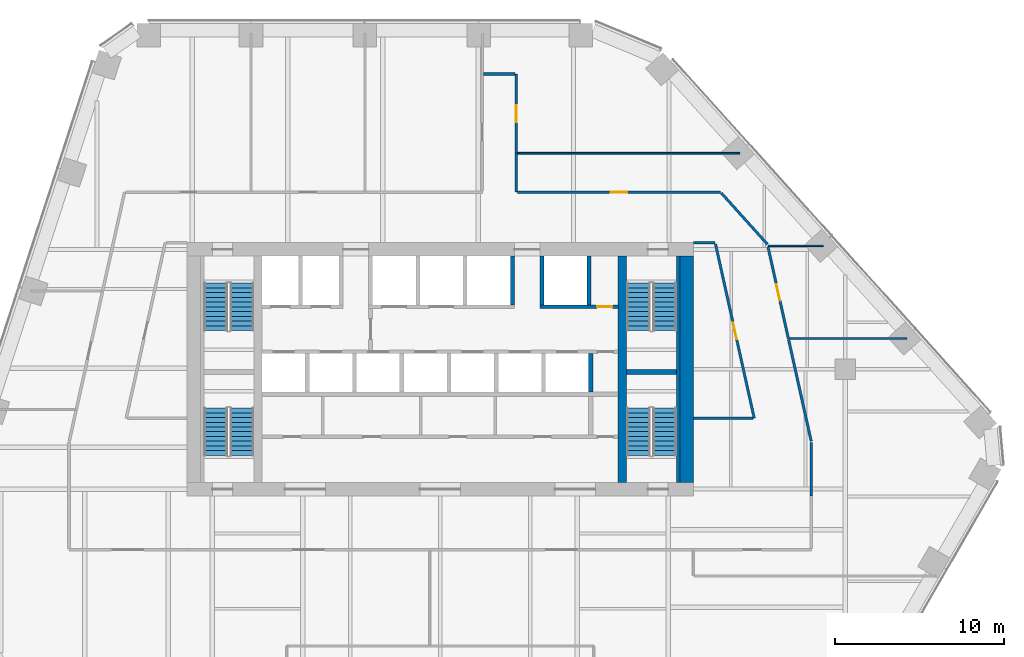
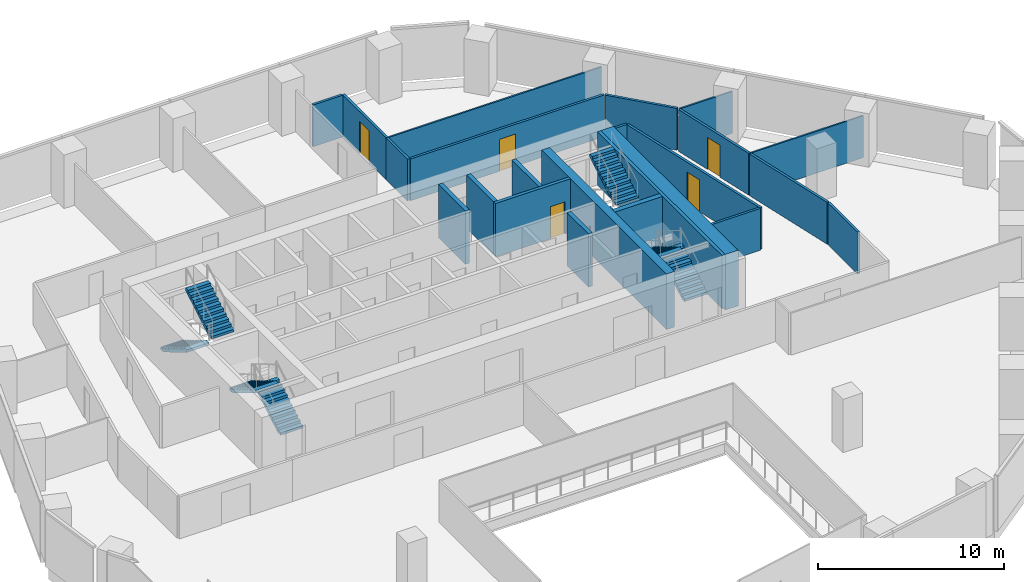
# One storey, part 13 of 16: 23 walls, 8 stair flights, 5 doors, 5 openings, 4 elements without a shape of their own.
"""IFC4 building model written with IfcOpenShell, lengths in metres."""

from ifc_helpers import new_model, si_unit, direction, frame, frame_2d, origin, place, context, subcontext, project, spatial, polyline, rectangle, outline, extrude, material, layer, layer_set, type_object, element, fill, aggregate, save


model = new_model("IFC4")

# Units and contexts
model_context = context("Model", 3, precision=1e-05, world=origin(), true_north=direction((0.0, 1.0)))
body_context = subcontext(model_context, "Body", "Model", "MODEL_VIEW")
ifc_project = project(units=[si_unit("LENGTHUNIT", "METRE"), si_unit("AREAUNIT", "SQUARE_METRE"), si_unit("VOLUMEUNIT", "CUBIC_METRE"), si_unit("PLANEANGLEUNIT", "RADIAN"), si_unit("MASSUNIT", "GRAM", prefix="KILO")], contexts=[model_context])

# Site, building, storey
site_placement = place(None, origin())
site = spatial("IfcSite", under=ifc_project, at=site_placement, CompositionType="ELEMENT")
building_placement = place(site_placement, origin())
building = spatial("IfcBuilding", under=site, at=building_placement, Name="Isthmus Gate Tower", CompositionType="ELEMENT")
storey_placement = place(building_placement, frame((0.0, 0.0, 140.75)))
storey = spatial("IfcBuildingStorey", under=building, at=storey_placement, Name="L34", CompositionType="ELEMENT", Elevation=140.75)

# Wall, opening, door
ifc_material_1 = material(Name="Gypsum board on steel studs, fire-rated", Category="steel")
ifc_layer_1 = layer(ifc_material_1, 0.14990234375)
ifc_layer_set_1 = layer_set([ifc_layer_1], Name="CORRIDOR WALL 150 60 MIN")
wall_type_1 = type_object("IfcWallType", Name="CORRIDOR WALL 150 60 MIN", PredefinedType="PARTITIONING", material=ifc_layer_set_1)
wall_1_placement = place(storey_placement, frame((4.5, 25.0, 0.0), z_axis=(0.0, 0.0, 1.0), x_axis=(0.0, -1.0, 0.0)))
wall_1 = element("IfcWall", 1, at=wall_1_placement, inside=storey, type_object=wall_type_1, Name="L34 Corridor Wall 150 60 Min", PredefinedType="PARTITIONING", context=body_context, shape_type="SweptSolid", body=[
    extrude(rectangle(XDim=4.69189453125, YDim=0.14990234375, at=frame_2d((2.345947265625, 0.0))), origin(), (0.0, 0.0, 1.0), 2.7412109375),
])
opening_1_placement = place(wall_1_placement, frame((1.845947265625, 0.0, 0.0)))
opening_1 = element("IfcOpeningElement", 2, at=opening_1_placement, cuts=wall_1, Name="Opening DT-T3B-03", PredefinedType="OPENING", context=body_context, shape_type="SweptSolid", body=[
    extrude(rectangle(XDim=1.0, YDim=2.10009765625, at=frame_2d((0.5, 1.050048828125))), frame((0.0, 0.0849609375, 0.0), z_axis=(0.0, -1.0, 0.0), x_axis=(1.0, 0.0, 0.0)), (0.0, 0.0, 1.0), 0.169921875),
])
ifc_material_2 = material(Name="Solid core timber door leaf, fire-rated", Category="wood")
door_type_1 = type_object("IfcDoorType", Name="FIRE DOOR ROOM 1000 X 2100 60 MIN", OperationType="SINGLE_SWING_LEFT", PredefinedType="DOOR", material=ifc_material_2)
door_1_placement = place(opening_1_placement, origin())
door_1 = element("IfcDoor", 3, at=door_1_placement, inside=storey, type_object=door_type_1, Name="L34 room door", OperationType="SINGLE_SWING_RIGHT", OverallHeight=2.10009765625, OverallWidth=1.0, PredefinedType="DOOR", context=body_context, shape_type="SweptSolid", body=[
    extrude(rectangle(XDim=1.0, YDim=2.10009765625, at=frame_2d((0.5, 1.050048828125))), frame((0.0, 0.02490234375, 0.0), z_axis=(0.0, -1.0, 0.0), x_axis=(1.0, 0.0, 0.0)), (0.0, 0.0, 1.0), 0.050048828125),
])
fill(opening_1, door_1)

# Walls
wall_2_placement = place(storey_placement, frame((4.5, 20.30810546875, 0.0), z_axis=(0.0, 0.0, 1.0), x_axis=(0.0, -1.0, 0.0)))
element("IfcWall", 4, at=wall_2_placement, inside=storey, type_object=wall_type_1, Name="L34 Corridor Wall 150 60 Min", PredefinedType="PARTITIONING", context=body_context, shape_type="SweptSolid", body=[
    extrude(rectangle(XDim=2.30810546875, YDim=0.14990234375, at=frame_2d((1.154052734375, 0.0))), origin(), (0.0, 0.0, 1.0), 2.7412109375),
])
wall_3_placement = place(storey_placement, frame((16.297119140625, 15.0, 0.0), z_axis=(0.0, 0.0, 1.0), x_axis=(-1.0, 0.0, 0.0)))
element("IfcWall", 5, at=wall_3_placement, inside=storey, type_object=wall_type_1, Name="L34 Corridor Wall 150 60 Min", PredefinedType="PARTITIONING", context=body_context, shape_type="SweptSolid", body=[
    extrude(rectangle(XDim=1.297119140625, YDim=0.14990234375, at=frame_2d((0.6484375, 0.0))), origin(), (0.0, 0.0, 1.0), 2.7412109375),
])

# Wall, opening, door
wall_4_placement = place(storey_placement, frame((18.60791015625, 4.60009765625, 0.0), z_axis=(0.0, 0.0, 1.0), x_axis=(-0.21691823958, 0.976189775268, 0.0)))
wall_4 = element("IfcWall", 6, at=wall_4_placement, inside=storey, type_object=wall_type_1, Name="L34 Corridor Wall 150 60 Min", PredefinedType="PARTITIONING", context=body_context, shape_type="SweptSolid", body=[
    extrude(rectangle(XDim=10.57861328125, YDim=0.14990234375, at=frame_2d((5.289306640625, 0.0))), origin(), (0.0, 0.0, 1.0), 2.7412109375),
])
opening_2_placement = place(wall_4_placement, frame((4.789306640625, 0.0, 0.0)))
opening_2 = element("IfcOpeningElement", 7, at=opening_2_placement, cuts=wall_4, Name="Opening DT-T3B-09", PredefinedType="OPENING", context=body_context, shape_type="SweptSolid", body=[
    extrude(rectangle(XDim=1.0, YDim=2.10009765625, at=frame_2d((0.5, 1.050048828125))), frame((0.0, 0.0849609375, 0.0), z_axis=(0.0, -1.0, 0.0), x_axis=(1.0, 0.0, 0.0)), (0.0, 0.0, 1.0), 0.169921875),
])
door_2_placement = place(opening_2_placement, origin())
door_2 = element("IfcDoor", 8, at=door_2_placement, inside=storey, type_object=door_type_1, Name="L34 room door", OperationType="SINGLE_SWING_RIGHT", OverallHeight=2.10009765625, OverallWidth=1.0, PredefinedType="DOOR", context=body_context, shape_type="SweptSolid", body=[
    extrude(rectangle(XDim=1.0, YDim=2.10009765625, at=frame_2d((0.5, 1.050048828125))), frame((0.0, 0.02490234375, 0.0), z_axis=(0.0, -1.0, 0.0), x_axis=(1.0, 0.0, 0.0)), (0.0, 0.0, 1.0), 0.050048828125),
])
fill(opening_2, door_2)

# Walls
wall_5_placement = place(storey_placement, frame((22.0, 3.1650390625, 0.0), z_axis=(0.0, 0.0, 1.0), x_axis=(0.0, -1.0, 0.0)))
element("IfcWall", 9, at=wall_5_placement, inside=storey, type_object=wall_type_1, Name="L34 Corridor Wall 150 60 Min", PredefinedType="PARTITIONING", context=body_context, shape_type="SweptSolid", body=[
    extrude(rectangle(XDim=3.1650390625, YDim=0.14990234375, at=frame_2d((1.58251953125, 0.0))), origin(), (0.0, 0.0, 1.0), 2.7412109375),
])
wall_6_placement = place(storey_placement, frame((2.574951171875, 25.0, 0.0), z_axis=(0.0, 0.0, 1.0), x_axis=(1.0, 0.0, 0.0)))
element("IfcWall", 10, at=wall_6_placement, inside=storey, type_object=wall_type_1, Name="L34 Corridor Wall 150 60 Min", PredefinedType="PARTITIONING", context=body_context, shape_type="SweptSolid", body=[
    extrude(rectangle(XDim=1.85009765625, YDim=0.14990234375, at=frame_2d((0.925048828125, 0.0))), origin(), (0.0, 0.0, 1.0), 2.7412109375),
])

# Wall, opening, door
wall_7_placement = place(storey_placement, frame((4.574951171875, 18.0, 0.0), z_axis=(0.0, 0.0, 1.0), x_axis=(1.0, 0.0, 0.0)))
wall_7 = element("IfcWall", 11, at=wall_7_placement, inside=storey, type_object=wall_type_1, Name="L34 Corridor Wall 150 60 Min", PredefinedType="PARTITIONING", context=body_context, shape_type="SweptSolid", body=[
    extrude(rectangle(XDim=12.03515625, YDim=0.14990234375, at=frame_2d((6.017578125, 0.0))), origin(), (0.0, 0.0, 1.0), 2.7412109375),
])
opening_3_placement = place(wall_7_placement, frame((5.517578125, 0.0, 0.0)))
opening_3 = element("IfcOpeningElement", 12, at=opening_3_placement, cuts=wall_7, Name="Opening DT-T3B-05", PredefinedType="OPENING", context=body_context, shape_type="SweptSolid", body=[
    extrude(rectangle(XDim=1.0, YDim=2.10009765625, at=frame_2d((0.5, 1.050048828125))), frame((0.0, 0.0849609375, 0.0), z_axis=(0.0, -1.0, 0.0), x_axis=(1.0, 0.0, 0.0)), (0.0, 0.0, 1.0), 0.169921875),
])
door_3_placement = place(opening_3_placement, origin())
door_3 = element("IfcDoor", 13, at=door_3_placement, inside=storey, type_object=door_type_1, Name="L34 room door", OperationType="SINGLE_SWING_RIGHT", OverallHeight=2.10009765625, OverallWidth=1.0, PredefinedType="DOOR", context=body_context, shape_type="SweptSolid", body=[
    extrude(rectangle(XDim=1.0, YDim=2.10009765625, at=frame_2d((0.5, 1.050048828125))), frame((0.0, 0.02490234375, 0.0), z_axis=(0.0, -1.0, 0.0), x_axis=(1.0, 0.0, 0.0)), (0.0, 0.0, 1.0), 0.050048828125),
])
fill(opening_3, door_3)

# Wall
wall_8_placement = place(storey_placement, frame((16.66015625, 17.9443359375, 0.0), z_axis=(0.0, 0.0, 1.0), x_axis=(0.669169786575, -0.743109545582, 0.0)))
element("IfcWall", 14, at=wall_8_placement, inside=storey, type_object=wall_type_1, Name="L34 Corridor Wall 150 60 Min", PredefinedType="PARTITIONING", context=body_context, shape_type="SweptSolid", body=[
    extrude(rectangle(XDim=4.077880859375, YDim=0.14990234375, at=frame_2d((2.0390625, 0.0))), origin(), (0.0, 0.0, 1.0), 2.7412109375),
])

# Wall, opening, door
wall_9_placement = place(storey_placement, frame((19.421875, 14.76708984375, 0.0), z_axis=(0.0, 0.0, 1.0), x_axis=(0.216833114764, -0.976208686881, 0.0)))
wall_9 = element("IfcWall", 15, at=wall_9_placement, inside=storey, type_object=wall_type_1, Name="L34 Corridor Wall 150 60 Min", PredefinedType="PARTITIONING", context=body_context, shape_type="SweptSolid", body=[
    extrude(rectangle(XDim=5.57666015625, YDim=0.14990234375, at=frame_2d((2.788330078125, 0.0))), origin(), (0.0, 0.0, 1.0), 2.7412109375),
])
opening_4_placement = place(wall_9_placement, frame((2.288330078125, 0.0, 0.0)))
opening_4 = element("IfcOpeningElement", 16, at=opening_4_placement, cuts=wall_9, Name="Opening DT-T3B-06", PredefinedType="OPENING", context=body_context, shape_type="SweptSolid", body=[
    extrude(rectangle(XDim=1.0, YDim=2.10009765625, at=frame_2d((0.5, 1.050048828125))), frame((0.0, 0.0849609375, 0.0), z_axis=(0.0, -1.0, 0.0), x_axis=(1.0, 0.0, 0.0)), (0.0, 0.0, 1.0), 0.169921875),
])
door_4_placement = place(opening_4_placement, origin())
door_4 = element("IfcDoor", 17, at=door_4_placement, inside=storey, type_object=door_type_1, Name="L34 room door", OperationType="SINGLE_SWING_RIGHT", OverallHeight=2.10009765625, OverallWidth=1.0, PredefinedType="DOOR", context=body_context, shape_type="SweptSolid", body=[
    extrude(rectangle(XDim=1.0, YDim=2.10009765625, at=frame_2d((0.5, 1.050048828125))), frame((0.0, 0.02490234375, 0.0), z_axis=(0.0, -1.0, 0.0), x_axis=(1.0, 0.0, 0.0)), (0.0, 0.0, 1.0), 0.050048828125),
])
fill(opening_4, door_4)

# Walls
wall_10_placement = place(storey_placement, frame((15.0, 4.60009765625, 0.0), z_axis=(0.0, 0.0, 1.0), x_axis=(1.0, 0.0, 0.0)))
element("IfcWall", 18, at=wall_10_placement, inside=storey, type_object=wall_type_1, Name="L34 Corridor Wall 150 60 Min", PredefinedType="PARTITIONING", context=body_context, shape_type="SweptSolid", body=[
    extrude(rectangle(XDim=3.532958984375, YDim=0.14990234375, at=frame_2d((1.7666015625, 0.0))), origin(), (0.0, 0.0, 1.0), 2.7412109375),
])
wall_11_placement = place(storey_placement, frame((20.641845703125, 9.274169921875, 0.0), z_axis=(0.0, 0.0, 1.0), x_axis=(0.217005709604, -0.976170334521, 0.0)))
element("IfcWall", 19, at=wall_11_placement, inside=storey, type_object=wall_type_1, Name="L34 Corridor Wall 150 60 Min", PredefinedType="PARTITIONING", context=body_context, shape_type="SweptSolid", body=[
    extrude(rectangle(XDim=6.183349609375, YDim=0.14990234375, at=frame_2d((3.091796875, 0.0))), origin(), (0.0, 0.0, 1.0), 2.7412109375),
])
ifc_material_3 = material(Name="Concrete f'c 60 MPa", Category="concrete")
ifc_layer_2 = layer(ifc_material_3, 0.5)
ifc_layer_set_2 = layer_set([ifc_layer_2], Name="RC CORE SPINE WALL 500 F'C 60")
wall_type_2 = type_object("IfcWallType", Name="RC CORE SPINE WALL 500 F'C 60", PredefinedType="SOLIDWALL", material=ifc_layer_set_2)
wall_12_placement = place(storey_placement, frame((10.800048828125, 0.800048828125, -0.14990234375), z_axis=(0.0, 0.0, 1.0), x_axis=(0.0, 1.0, 0.0)))
element("IfcWall", 20, at=wall_12_placement, inside=storey, type_object=wall_type_2, Name="str-corewall-L34-SPE", PredefinedType="SOLIDWALL", context=body_context, shape_type="SweptSolid", body=[
    extrude(rectangle(XDim=13.39990234375, YDim=0.5, at=frame_2d((6.699951171875, 0.0))), origin(), (0.0, 0.0, 1.0), 3.64990234375),
])
ifc_material_4 = material(Name="Concrete f'c 60 MPa", Category="concrete")
ifc_layer_3 = layer(ifc_material_4, 0.800048828125)
ifc_layer_set_3 = layer_set([ifc_layer_3], Name="RC CORE WALL 800 F'C 60")
wall_type_3 = type_object("IfcWallType", Name="RC CORE WALL 800 F'C 60", PredefinedType="SOLIDWALL", material=ifc_layer_set_3)
wall_13_placement = place(storey_placement, frame((14.60009765625, 0.800048828125, -0.14990234375), z_axis=(0.0, 0.0, 1.0), x_axis=(0.0, 1.0, 0.0)))
element("IfcWall", 21, at=wall_13_placement, inside=storey, type_object=wall_type_3, Name="str-corewall-L34-E", PredefinedType="SOLIDWALL", context=body_context, shape_type="SweptSolid", body=[
    extrude(rectangle(XDim=13.39990234375, YDim=0.800048828125, at=frame_2d((6.699951171875, 0.0))), origin(), (0.0, 0.0, 1.0), 3.64990234375),
])
ifc_material_5 = material(Name="Gypsum board on steel studs, fire-rated", Category="steel")
ifc_layer_4 = layer(ifc_material_5, 0.10009765625)
ifc_layer_set_4 = layer_set([ifc_layer_4], Name="ROOM PARTITION 100 30 MIN")
wall_type_4 = type_object("IfcWallType", Name="ROOM PARTITION 100 30 MIN", PredefinedType="PARTITIONING", material=ifc_layer_set_4)
wall_14_placement = place(storey_placement, frame((4.574951171875, 20.30810546875, 0.0), z_axis=(0.0, 0.0, 1.0), x_axis=(1.0, 0.0, 0.0)))
element("IfcWall", 22, at=wall_14_placement, inside=storey, type_object=wall_type_4, Name="L34 Room Partition 100 30 Min", PredefinedType="PARTITIONING", context=body_context, shape_type="SweptSolid", body=[
    extrude(rectangle(XDim=13.18701171875, YDim=0.10009765625, at=frame_2d((6.593505859375, 0.0))), origin(), (0.0, 0.0, 1.0), 2.7412109375),
])
wall_15_placement = place(storey_placement, frame((19.4365234375, 14.81591796875, 0.0), z_axis=(0.0, 0.0, 1.0), x_axis=(1.0, 0.0, 0.0)))
element("IfcWall", 23, at=wall_15_placement, inside=storey, type_object=wall_type_4, Name="L34 Room Partition 100 30 Min", PredefinedType="PARTITIONING", context=body_context, shape_type="SweptSolid", body=[
    extrude(rectangle(XDim=3.2705078125, YDim=0.10009765625, at=frame_2d((1.63525390625, 0.0))), origin(), (0.0, 0.0, 1.0), 2.7412109375),
])
wall_16_placement = place(storey_placement, frame((20.7060546875, 9.322998046875, 0.0), z_axis=(0.0, 0.0, 1.0), x_axis=(1.0, 0.0, 0.0)))
element("IfcWall", 24, at=wall_16_placement, inside=storey, type_object=wall_type_4, Name="L34 Room Partition 100 30 Min", PredefinedType="PARTITIONING", context=body_context, shape_type="SweptSolid", body=[
    extrude(rectangle(XDim=6.946044921875, YDim=0.10009765625, at=frame_2d((3.47314453125, 0.0))), origin(), (0.0, 0.0, 1.0), 2.7412109375),
])

# Wall, opening, door
ifc_material_6 = material(Name="Fire-rated blockwork masonry, 15 MPa", Category="masonry")
ifc_layer_5 = layer(ifc_material_6, 0.199951171875)
ifc_layer_set_5 = layer_set([ifc_layer_5], Name="SHAFT FRONT WALL 200 120 MIN")
wall_type_5 = type_object("IfcWallType", Name="SHAFT FRONT WALL 200 120 MIN", PredefinedType="PARTITIONING", material=ifc_layer_set_5)
wall_17_placement = place(storey_placement, frame((5.89990234375, 11.199951171875, 0.0), z_axis=(0.0, 0.0, 1.0), x_axis=(1.0, 0.0, 0.0)))
wall_17 = element("IfcWall", 25, at=wall_17_placement, inside=storey, type_object=wall_type_5, Name="L34 SHAFT FRONT WALL 200 120 MIN", PredefinedType="PARTITIONING", context=body_context, shape_type="SweptSolid", body=[
    extrude(rectangle(XDim=4.650146484375, YDim=0.199951171875, at=frame_2d((2.3251953125, 0.0))), origin(), (0.0, 0.0, 1.0), 3.5),
])
opening_5_placement = place(wall_17_placement, frame((3.39990234375, 0.0, 0.0)))
opening_5 = element("IfcOpeningElement", 26, at=opening_5_placement, cuts=wall_17, Name="Opening DC-A13-08", PredefinedType="OPENING", context=body_context, shape_type="SweptSolid", body=[
    extrude(rectangle(XDim=0.89990234375, YDim=2.10009765625, at=frame_2d((0.449951171875, 1.050048828125))), frame((0.0, 0.10986328125, 0.0), z_axis=(0.0, -1.0, 0.0), x_axis=(1.0, 0.0, 0.0)), (0.0, 0.0, 1.0), 0.219970703125),
])
ifc_material_7 = material(Name="Steel door leaf, fire-rated", Category="steel")
door_type_2 = type_object("IfcDoorType", Name="RISER FIRE DOOR 900 X 2100 90 MIN", OperationType="SINGLE_SWING_LEFT", PredefinedType="DOOR", material=ifc_material_7)
door_5_placement = place(opening_5_placement, origin())
door_5 = element("IfcDoor", 27, at=door_5_placement, inside=storey, type_object=door_type_2, Name="Riser Door", OperationType="SINGLE_SWING_LEFT", OverallHeight=2.10009765625, OverallWidth=0.89990234375, PredefinedType="DOOR", context=body_context, shape_type="SweptSolid", body=[
    extrude(rectangle(XDim=0.89990234375, YDim=2.10009765625, at=frame_2d((0.449951171875, 1.050048828125))), frame((0.0, 0.02490234375, 0.0), z_axis=(0.0, -1.0, 0.0), x_axis=(1.0, 0.0, 0.0)), (0.0, 0.0, 1.0), 0.050048828125),
])
fill(opening_5, door_5)

# Walls
ifc_material_8 = material(Name="Fire-rated blockwork masonry, 15 MPa", Category="masonry")
ifc_layer_6 = layer(ifc_material_8, 0.25)
ifc_layer_set_6 = layer_set([ifc_layer_6], Name="SHAFT WALL 250 120 MIN")
wall_type_6 = type_object("IfcWallType", Name="SHAFT WALL 250 120 MIN", PredefinedType="PARTITIONING", material=ifc_layer_set_6)
wall_18_placement = place(storey_placement, frame((8.925048828125, 6.14990234375, 0.0), z_axis=(0.0, 0.0, 1.0), x_axis=(0.0, 1.0, 0.0)))
element("IfcWall", 28, at=wall_18_placement, inside=storey, type_object=wall_type_6, Name="L34 SHAFT WALL 250 120 MIN", PredefinedType="PARTITIONING", context=body_context, shape_type="SweptSolid", body=[
    extrude(rectangle(XDim=2.300048828125, YDim=0.25, at=frame_2d((1.14990234375, 0.0))), origin(), (0.0, 0.0, 1.0), 3.5),
])
for number, where, z_axis, x_axis, name in (
    (29, (4.27490234375, 11.300048828125, 0.0), (0.0, 0.0, 1.0), (0.0, 1.0, 0.0), "L34 SHAFT WALL 250 120 MIN"),
    (30, (6.02490234375, 11.300048828125, 0.0), (0.0, 0.0, 1.0), (0.0, 1.0, 0.0), "L34 SHAFT WALL 250 120 MIN"),
    (31, (8.824951171875, 11.300048828125, 0.0), (0.0, 0.0, 1.0), (0.0, 1.0, 0.0), "L34 SHAFT WALL 250 120 MIN"),
):
    element("IfcWall", number, at=place(storey_placement, frame(where, z_axis=z_axis, x_axis=x_axis)), inside=storey, type_object=wall_type_6, Name=name, PredefinedType="PARTITIONING", context=body_context, shape_type="SweptSolid", body=[
        extrude(rectangle(XDim=2.89990234375, YDim=0.25, at=frame_2d((1.449951171875, 0.0))), origin(), (0.0, 0.0, 1.0), 3.5),
    ])
ifc_material_9 = material(Name="Concrete f'c 40 MPa", Category="concrete")
ifc_layer_7 = layer(ifc_material_9, 0.199951171875)
ifc_layer_set_7 = layer_set([ifc_layer_7], Name="STAIR ENCLOSURE WALL 200 180 MIN")
wall_type_7 = type_object("IfcWallType", Name="STAIR ENCLOSURE WALL 200 180 MIN", PredefinedType="SOLIDWALL", material=ifc_layer_set_7)
wall_19_placement = place(storey_placement, frame((14.10009765625, 0.800048828125, 0.0), z_axis=(0.0, 0.0, 1.0), x_axis=(0.0, 1.0, 0.0)))
element("IfcWall", 32, at=wall_19_placement, inside=storey, type_object=wall_type_7, Name="L34 STAIR ENCLOSURE WALL 200 180 MIN", PredefinedType="SOLIDWALL", context=body_context, shape_type="SweptSolid", body=[
    extrude(rectangle(XDim=13.39990234375, YDim=0.199951171875, at=frame_2d((6.699951171875, 0.0))), origin(), (0.0, 0.0, 1.0), 3.5),
])
ifc_material_10 = material(Name="Concrete f'c 40 MPa", Category="concrete")
ifc_layer_8 = layer(ifc_material_10, 0.300048828125)
ifc_layer_set_8 = layer_set([ifc_layer_8], Name="STAIR ENCLOSURE WALL 300 180 MIN")
wall_type_8 = type_object("IfcWallType", Name="STAIR ENCLOSURE WALL 300 180 MIN", PredefinedType="SOLIDWALL", material=ifc_layer_set_8)
wall_20_placement = place(storey_placement, frame((11.050048828125, 7.35009765625, 0.0), z_axis=(0.0, 0.0, 1.0), x_axis=(1.0, 0.0, 0.0)))
element("IfcWall", 33, at=wall_20_placement, inside=storey, type_object=wall_type_8, Name="L34 STAIR ENCLOSURE WALL 300 180 MIN", PredefinedType="SOLIDWALL", context=body_context, shape_type="SweptSolid", body=[
    extrude(rectangle(XDim=2.949951171875, YDim=0.300048828125, at=frame_2d((1.47509765625, 0.0))), origin(), (0.0, 0.0, 1.0), 3.5),
])

# Stair, stair flights
ifc_material_11 = material(Name="Concrete f'c 40 MPa", Category="concrete")
stair_type = type_object("IfcStairType", Name="CORE STAIR 22 RISERS", PredefinedType="HALF_TURN_STAIR", material=ifc_material_11)
stair_1_placement = place(storey_placement, origin())
stair_1 = element("IfcStair", 34, at=stair_1_placement, inside=storey, type_object=stair_type, Name="L34 Exit Stair 1", PredefinedType="HALF_TURN_STAIR")
ifc_material_12 = material(Name="Concrete f'c 40 MPa", Category="concrete")
stair_flight_type = type_object("IfcStairFlightType", Name="STAIR FLIGHT RC 1400", PredefinedType="STRAIGHT", material=ifc_material_12)
stair_flight_1_placement = place(storey_placement, frame((-13.300048828125, 12.60009765625, 0.0), z_axis=(0.0, 0.0, 1.0), x_axis=(0.0, -1.0, 0.0)))
stair_flight_1 = element("IfcStairFlight", 35, at=stair_flight_1_placement, type_object=stair_flight_type, Name="ST1 flight 1", NumberOfRisers=11, NumberOfTreads=10, PredefinedType="STRAIGHT", RiserHeight=0.165909091, TreadLength=0.28, context=body_context, shape_type="SweptSolid", body=[
    extrude(outline(polyline([(0.0, 0.0), (0.0, 0.166015625), (0.280029296875, 0.166015625), (0.280029296875, 0.331787109375), (0.56005859375, 0.331787109375), (0.56005859375, 0.497802734375), (0.840087890625, 0.497802734375), (0.840087890625, 0.66357421875), (1.1201171875, 0.66357421875), (1.1201171875, 0.82958984375), (1.39990234375, 0.82958984375), (1.39990234375, 0.995361328125), (1.679931640625, 0.995361328125), (1.679931640625, 1.161376953125), (1.9599609375, 1.161376953125), (1.9599609375, 1.327392578125), (2.239990234375, 1.327392578125), (2.239990234375, 1.4931640625), (2.52001953125, 1.4931640625), (2.52001953125, 1.6591796875), (2.800048828125, 1.6591796875), (2.800048828125, 1.824951171875), (2.800048828125, 1.48486328125), (0.2939453125, 0.0), (0.0, 0.0)])), frame((0.0, 0.699951171875, 0.0), z_axis=(0.0, -1.0, 0.0), x_axis=(1.0, 0.0, 0.0)), (0.0, 0.0, 1.0), 1.39990234375),
])
stair_flight_2_placement = place(storey_placement, frame((-11.75, 9.800048828125, 1.824951171875), z_axis=(0.0, 0.0, 1.0), x_axis=(0.0, 1.0, 0.0)))
stair_flight_2 = element("IfcStairFlight", 36, at=stair_flight_2_placement, type_object=stair_flight_type, Name="ST1 flight 2", NumberOfRisers=11, NumberOfTreads=10, PredefinedType="STRAIGHT", RiserHeight=0.165909091, TreadLength=0.28, context=body_context, shape_type="SweptSolid", body=[
    extrude(outline(polyline([(0.0, 0.0), (0.0, 0.166015625), (0.280029296875, 0.166015625), (0.280029296875, 0.331787109375), (0.56005859375, 0.331787109375), (0.56005859375, 0.497802734375), (0.840087890625, 0.497802734375), (0.840087890625, 0.66357421875), (1.1201171875, 0.66357421875), (1.1201171875, 0.82958984375), (1.39990234375, 0.82958984375), (1.39990234375, 0.995361328125), (1.679931640625, 0.995361328125), (1.679931640625, 1.161376953125), (1.9599609375, 1.161376953125), (1.9599609375, 1.327392578125), (2.239990234375, 1.327392578125), (2.239990234375, 1.4931640625), (2.52001953125, 1.4931640625), (2.52001953125, 1.6591796875), (2.800048828125, 1.6591796875), (2.800048828125, 1.824951171875), (2.800048828125, 1.48486328125), (0.2939453125, 0.0), (0.0, 0.0)])), frame((0.0, 0.699951171875, 0.0), z_axis=(0.0, -1.0, 0.0), x_axis=(1.0, 0.0, 0.0)), (0.0, 0.0, 1.0), 1.39990234375),
])
aggregate(stair_1, [stair_flight_1, stair_flight_2])

stair_2_placement = place(storey_placement, origin())
stair_2 = element("IfcStair", 37, at=stair_2_placement, inside=storey, type_object=stair_type, Name="L34 Exit Stair 2", PredefinedType="HALF_TURN_STAIR")
stair_flight_3_placement = place(storey_placement, frame((11.75, 12.60009765625, 0.0), z_axis=(0.0, 0.0, 1.0), x_axis=(0.0, -1.0, 0.0)))
stair_flight_3 = element("IfcStairFlight", 38, at=stair_flight_3_placement, type_object=stair_flight_type, Name="ST2 flight 1", NumberOfRisers=11, NumberOfTreads=10, PredefinedType="STRAIGHT", RiserHeight=0.165909091, TreadLength=0.28, context=body_context, shape_type="SweptSolid", body=[
    extrude(outline(polyline([(0.0, 0.0), (0.0, 0.166015625), (0.280029296875, 0.166015625), (0.280029296875, 0.331787109375), (0.56005859375, 0.331787109375), (0.56005859375, 0.497802734375), (0.840087890625, 0.497802734375), (0.840087890625, 0.66357421875), (1.1201171875, 0.66357421875), (1.1201171875, 0.82958984375), (1.39990234375, 0.82958984375), (1.39990234375, 0.995361328125), (1.679931640625, 0.995361328125), (1.679931640625, 1.161376953125), (1.9599609375, 1.161376953125), (1.9599609375, 1.327392578125), (2.239990234375, 1.327392578125), (2.239990234375, 1.4931640625), (2.52001953125, 1.4931640625), (2.52001953125, 1.6591796875), (2.800048828125, 1.6591796875), (2.800048828125, 1.824951171875), (2.800048828125, 1.48486328125), (0.2939453125, 0.0), (0.0, 0.0)])), frame((0.0, 0.699951171875, 0.0), z_axis=(0.0, -1.0, 0.0), x_axis=(1.0, 0.0, 0.0)), (0.0, 0.0, 1.0), 1.39990234375),
])
stair_flight_4_placement = place(storey_placement, frame((13.300048828125, 9.800048828125, 1.824951171875), z_axis=(0.0, 0.0, 1.0), x_axis=(0.0, 1.0, 0.0)))
stair_flight_4 = element("IfcStairFlight", 39, at=stair_flight_4_placement, type_object=stair_flight_type, Name="ST2 flight 2", NumberOfRisers=11, NumberOfTreads=10, PredefinedType="STRAIGHT", RiserHeight=0.165909091, TreadLength=0.28, context=body_context, shape_type="SweptSolid", body=[
    extrude(outline(polyline([(0.0, 0.0), (0.0, 0.166015625), (0.280029296875, 0.166015625), (0.280029296875, 0.331787109375), (0.56005859375, 0.331787109375), (0.56005859375, 0.497802734375), (0.840087890625, 0.497802734375), (0.840087890625, 0.66357421875), (1.1201171875, 0.66357421875), (1.1201171875, 0.82958984375), (1.39990234375, 0.82958984375), (1.39990234375, 0.995361328125), (1.679931640625, 0.995361328125), (1.679931640625, 1.161376953125), (1.9599609375, 1.161376953125), (1.9599609375, 1.327392578125), (2.239990234375, 1.327392578125), (2.239990234375, 1.4931640625), (2.52001953125, 1.4931640625), (2.52001953125, 1.6591796875), (2.800048828125, 1.6591796875), (2.800048828125, 1.824951171875), (2.800048828125, 1.48486328125), (0.2939453125, 0.0), (0.0, 0.0)])), frame((0.0, 0.699951171875, 0.0), z_axis=(0.0, -1.0, 0.0), x_axis=(1.0, 0.0, 0.0)), (0.0, 0.0, 1.0), 1.39990234375),
])
aggregate(stair_2, [stair_flight_3, stair_flight_4])

stair_3_placement = place(storey_placement, origin())
stair_3 = element("IfcStair", 40, at=stair_3_placement, inside=storey, type_object=stair_type, Name="L34 Exit Stair 7", PredefinedType="HALF_TURN_STAIR")
stair_flight_5_placement = place(storey_placement, frame((-11.75, 2.39990234375, 0.0), z_axis=(0.0, 0.0, 1.0), x_axis=(0.0, 1.0, 0.0)))
stair_flight_5 = element("IfcStairFlight", 41, at=stair_flight_5_placement, type_object=stair_flight_type, Name="ST7 flight 1", NumberOfRisers=11, NumberOfTreads=10, PredefinedType="STRAIGHT", RiserHeight=0.165909091, TreadLength=0.28, context=body_context, shape_type="SweptSolid", body=[
    extrude(outline(polyline([(0.0, 0.0), (0.0, 0.166015625), (0.280029296875, 0.166015625), (0.280029296875, 0.331787109375), (0.56005859375, 0.331787109375), (0.56005859375, 0.497802734375), (0.840087890625, 0.497802734375), (0.840087890625, 0.66357421875), (1.1201171875, 0.66357421875), (1.1201171875, 0.82958984375), (1.39990234375, 0.82958984375), (1.39990234375, 0.995361328125), (1.679931640625, 0.995361328125), (1.679931640625, 1.161376953125), (1.9599609375, 1.161376953125), (1.9599609375, 1.327392578125), (2.239990234375, 1.327392578125), (2.239990234375, 1.4931640625), (2.52001953125, 1.4931640625), (2.52001953125, 1.6591796875), (2.800048828125, 1.6591796875), (2.800048828125, 1.824951171875), (2.800048828125, 1.48486328125), (0.2939453125, 0.0), (0.0, 0.0)])), frame((0.0, 0.699951171875, 0.0), z_axis=(0.0, -1.0, 0.0), x_axis=(1.0, 0.0, 0.0)), (0.0, 0.0, 1.0), 1.39990234375),
])
stair_flight_6_placement = place(storey_placement, frame((-13.300048828125, 5.199951171875, 1.824951171875), z_axis=(0.0, 0.0, 1.0), x_axis=(0.0, -1.0, 0.0)))
stair_flight_6 = element("IfcStairFlight", 42, at=stair_flight_6_placement, type_object=stair_flight_type, Name="ST7 flight 2", NumberOfRisers=11, NumberOfTreads=10, PredefinedType="STRAIGHT", RiserHeight=0.165909091, TreadLength=0.28, context=body_context, shape_type="SweptSolid", body=[
    extrude(outline(polyline([(0.0, 0.0), (0.0, 0.166015625), (0.280029296875, 0.166015625), (0.280029296875, 0.331787109375), (0.56005859375, 0.331787109375), (0.56005859375, 0.497802734375), (0.840087890625, 0.497802734375), (0.840087890625, 0.66357421875), (1.1201171875, 0.66357421875), (1.1201171875, 0.82958984375), (1.39990234375, 0.82958984375), (1.39990234375, 0.995361328125), (1.679931640625, 0.995361328125), (1.679931640625, 1.161376953125), (1.9599609375, 1.161376953125), (1.9599609375, 1.327392578125), (2.239990234375, 1.327392578125), (2.239990234375, 1.4931640625), (2.52001953125, 1.4931640625), (2.52001953125, 1.6591796875), (2.800048828125, 1.6591796875), (2.800048828125, 1.824951171875), (2.800048828125, 1.48486328125), (0.2939453125, 0.0), (0.0, 0.0)])), frame((0.0, 0.699951171875, 0.0), z_axis=(0.0, -1.0, 0.0), x_axis=(1.0, 0.0, 0.0)), (0.0, 0.0, 1.0), 1.39990234375),
])
aggregate(stair_3, [stair_flight_5, stair_flight_6])

stair_4_placement = place(storey_placement, origin())
stair_4 = element("IfcStair", 43, at=stair_4_placement, inside=storey, type_object=stair_type, Name="L34 Exit Stair 8", PredefinedType="HALF_TURN_STAIR")
stair_flight_7_placement = place(storey_placement, frame((13.300048828125, 2.39990234375, 0.0), z_axis=(0.0, 0.0, 1.0), x_axis=(0.0, 1.0, 0.0)))
stair_flight_7 = element("IfcStairFlight", 44, at=stair_flight_7_placement, type_object=stair_flight_type, Name="ST8 flight 1", NumberOfRisers=11, NumberOfTreads=10, PredefinedType="STRAIGHT", RiserHeight=0.165909091, TreadLength=0.28, context=body_context, shape_type="SweptSolid", body=[
    extrude(outline(polyline([(0.0, 0.0), (0.0, 0.166015625), (0.280029296875, 0.166015625), (0.280029296875, 0.331787109375), (0.56005859375, 0.331787109375), (0.56005859375, 0.497802734375), (0.840087890625, 0.497802734375), (0.840087890625, 0.66357421875), (1.1201171875, 0.66357421875), (1.1201171875, 0.82958984375), (1.39990234375, 0.82958984375), (1.39990234375, 0.995361328125), (1.679931640625, 0.995361328125), (1.679931640625, 1.161376953125), (1.9599609375, 1.161376953125), (1.9599609375, 1.327392578125), (2.239990234375, 1.327392578125), (2.239990234375, 1.4931640625), (2.52001953125, 1.4931640625), (2.52001953125, 1.6591796875), (2.800048828125, 1.6591796875), (2.800048828125, 1.824951171875), (2.800048828125, 1.48486328125), (0.2939453125, 0.0), (0.0, 0.0)])), frame((0.0, 0.699951171875, 0.0), z_axis=(0.0, -1.0, 0.0), x_axis=(1.0, 0.0, 0.0)), (0.0, 0.0, 1.0), 1.39990234375),
])
stair_flight_8_placement = place(storey_placement, frame((11.75, 5.199951171875, 1.824951171875), z_axis=(0.0, 0.0, 1.0), x_axis=(0.0, -1.0, 0.0)))
stair_flight_8 = element("IfcStairFlight", 45, at=stair_flight_8_placement, type_object=stair_flight_type, Name="ST8 flight 2", NumberOfRisers=11, NumberOfTreads=10, PredefinedType="STRAIGHT", RiserHeight=0.165909091, TreadLength=0.28, context=body_context, shape_type="SweptSolid", body=[
    extrude(outline(polyline([(0.0, 0.0), (0.0, 0.166015625), (0.280029296875, 0.166015625), (0.280029296875, 0.331787109375), (0.56005859375, 0.331787109375), (0.56005859375, 0.497802734375), (0.840087890625, 0.497802734375), (0.840087890625, 0.66357421875), (1.1201171875, 0.66357421875), (1.1201171875, 0.82958984375), (1.39990234375, 0.82958984375), (1.39990234375, 0.995361328125), (1.679931640625, 0.995361328125), (1.679931640625, 1.161376953125), (1.9599609375, 1.161376953125), (1.9599609375, 1.327392578125), (2.239990234375, 1.327392578125), (2.239990234375, 1.4931640625), (2.52001953125, 1.4931640625), (2.52001953125, 1.6591796875), (2.800048828125, 1.6591796875), (2.800048828125, 1.824951171875), (2.800048828125, 1.48486328125), (0.2939453125, 0.0), (0.0, 0.0)])), frame((0.0, 0.699951171875, 0.0), z_axis=(0.0, -1.0, 0.0), x_axis=(1.0, 0.0, 0.0)), (0.0, 0.0, 1.0), 1.39990234375),
])
aggregate(stair_4, [stair_flight_7, stair_flight_8])

save(model, "model.ifc")
